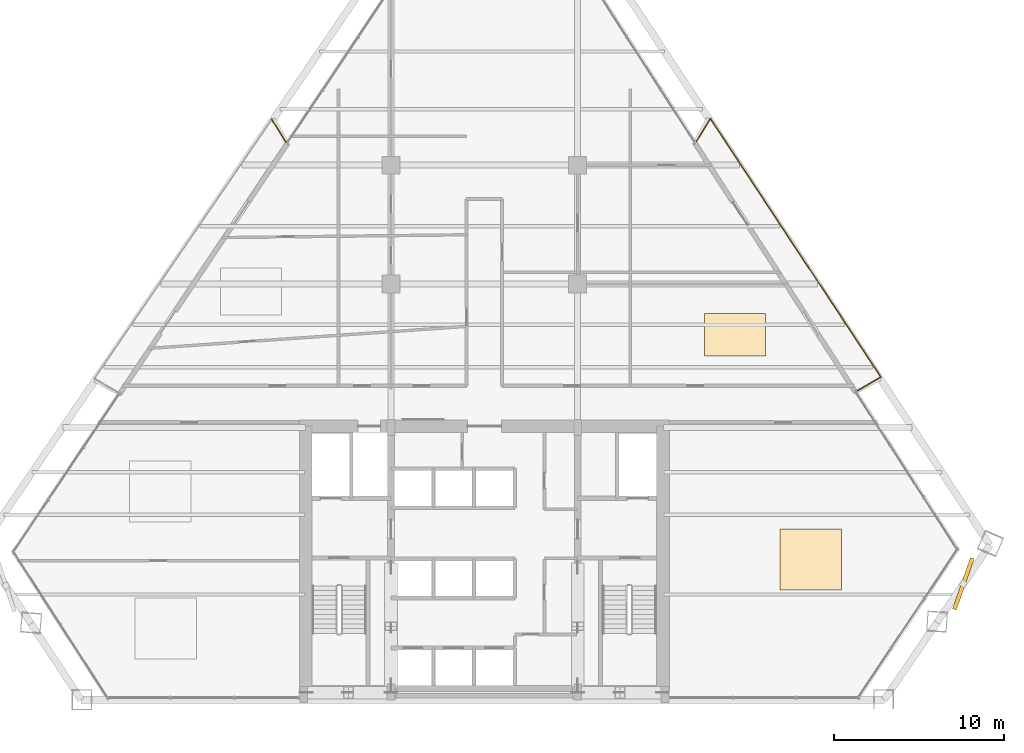
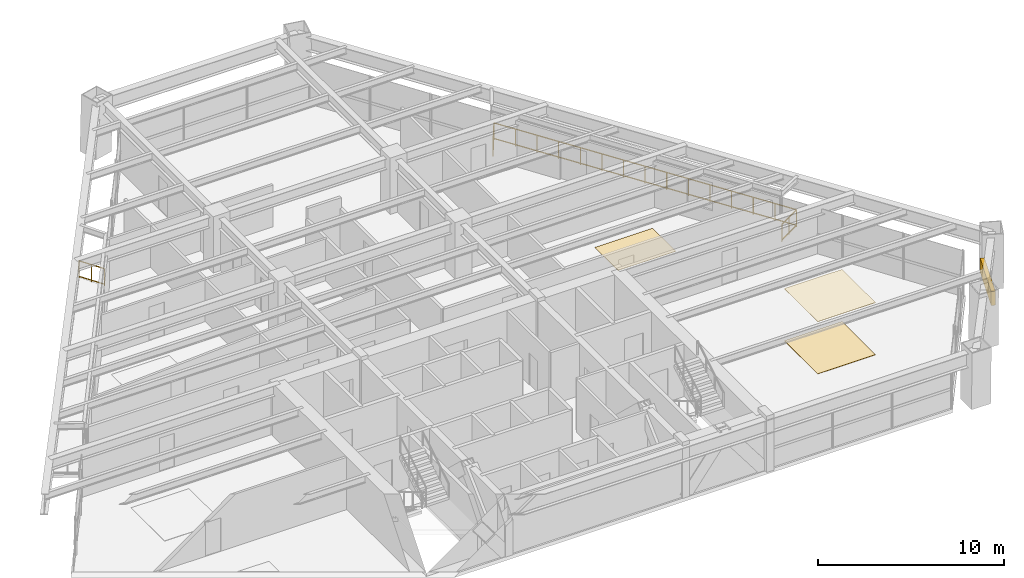
# One storey, part 14 of 14: 4 railings, 3 coverings, 1 shading device.
"""IFC4 building model written with IfcOpenShell, lengths in metres."""

from ifc_helpers import new_model, si_unit, direction, frame, origin, origin_2d, place, context, subcontext, project, spatial, rectangle, extrude, source, transform, mapped, material, layer, layer_set, type_object, type_shapes, element, save


model = new_model("IFC4")

# Units and contexts
model_context = context("Model", 3, precision=1e-05, world=origin(), true_north=direction((0.0, 1.0)))
body_context = subcontext(model_context, "Body", "Model", "MODEL_VIEW")
ifc_project = project(units=[si_unit("LENGTHUNIT", "METRE"), si_unit("AREAUNIT", "SQUARE_METRE"), si_unit("VOLUMEUNIT", "CUBIC_METRE"), si_unit("PLANEANGLEUNIT", "RADIAN"), si_unit("MASSUNIT", "GRAM", prefix="KILO")], contexts=[model_context])

# Site, building, storey
site_placement = place(None, origin())
site = spatial("IfcSite", under=ifc_project, at=site_placement, CompositionType="ELEMENT")
building_placement = place(site_placement, origin())
building = spatial("IfcBuilding", under=site, at=building_placement, Name="Varnakhor Terracotta Tower", CompositionType="ELEMENT")
storey_placement = place(building_placement, frame((0.0, 0.0, 102.5)))
storey = spatial("IfcBuildingStorey", under=building, at=storey_placement, Name="L25", CompositionType="ELEMENT", Elevation=102.5)

# Railings
ifc_material_1 = material(Name="Stainless Steel & Laminated Glass Guardrail", Category="steel")
railing_type = type_object("IfcRailingType", Name="RLG-LOGGIA-GUARD-1150", PredefinedType="GUARDRAIL", material=ifc_material_1)
railing_1_placement = place(storey_placement, frame((12.5029296875, 32.913818359375, 0.0)))
element("IfcRailing", 1, at=railing_1_placement, inside=storey, type_object=railing_type, Name="L25 E Loggia Glass Guard 1", PredefinedType="GUARDRAIL", context=body_context, shape_type="SweptSolid", body=[
    extrude(rectangle(XDim=0.048095703125, YDim=0.048095703125, at=origin_2d()), frame((0.0, 0.0, 1.1259765625), z_axis=(0.524778989732, 0.851238516478, 0.0), x_axis=(-0.851238516478, 0.524778989732, 0.0)), (0.0, 0.0, 1.0), 1.55859375),
    extrude(rectangle(XDim=0.048095703125, YDim=0.048095703125, at=origin_2d()), frame((0.0, 0.0, 0.10009765625), z_axis=(0.524778989732, 0.851238516478, 0.0), x_axis=(-0.851238516478, 0.524778989732, 0.0)), (0.0, 0.0, 1.0), 1.55859375),
    extrude(rectangle(XDim=0.0419921875, YDim=0.0419921875, at=origin_2d()), origin(), (0.0, 0.0, 1.0), 1.101806640625),
    extrude(rectangle(XDim=0.0419921875, YDim=0.0419921875, at=origin_2d()), frame((0.408935546875, 0.663330078125, 0.0)), (0.0, 0.0, 1.0), 1.101806640625),
    extrude(rectangle(XDim=0.0419921875, YDim=0.0419921875, at=origin_2d()), frame((0.81787109375, 1.32666015625, 0.0)), (0.0, 0.0, 1.0), 1.101806640625),
])
railing_2_placement = place(storey_placement, frame((13.32080078125, 34.240478515625, 0.0)))
element("IfcRailing", 2, at=railing_2_placement, inside=storey, type_object=railing_type, Name="L25 E Loggia Glass Guard 2", PredefinedType="GUARDRAIL", context=body_context, shape_type="SweptSolid", body=[
    extrude(rectangle(XDim=0.048095703125, YDim=0.048095703125, at=origin_2d()), frame((0.0, 0.0, 1.1259765625), z_axis=(0.550847617482, -0.834605836497, 0.0), x_axis=(0.834605836497, 0.550847617482, 0.0)), (0.0, 0.0, 1.0), 18.23486328125),
    extrude(rectangle(XDim=0.048095703125, YDim=0.048095703125, at=origin_2d()), frame((0.0, 0.0, 0.10009765625), z_axis=(0.550847617482, -0.834605836497, 0.0), x_axis=(0.834605836497, 0.550847617482, 0.0)), (0.0, 0.0, 1.0), 18.23486328125),
    extrude(rectangle(XDim=0.0419921875, YDim=0.0419921875, at=origin_2d()), origin(), (0.0, 0.0, 1.0), 1.101806640625),
    extrude(rectangle(XDim=0.0419921875, YDim=0.0419921875, at=origin_2d()), frame((0.717529296875, -1.087158203125, 0.0)), (0.0, 0.0, 1.0), 1.101806640625),
    extrude(rectangle(XDim=0.0419921875, YDim=0.0419921875, at=origin_2d()), frame((1.43505859375, -2.174072265625, 0.0)), (0.0, 0.0, 1.0), 1.101806640625),
    extrude(rectangle(XDim=0.0419921875, YDim=0.0419921875, at=origin_2d()), frame((2.15234375, -3.26123046875, 0.0)), (0.0, 0.0, 1.0), 1.101806640625),
    extrude(rectangle(XDim=0.0419921875, YDim=0.0419921875, at=origin_2d()), frame((2.869873046875, -4.348388671875, 0.0)), (0.0, 0.0, 1.0), 1.101806640625),
    extrude(rectangle(XDim=0.0419921875, YDim=0.0419921875, at=origin_2d()), frame((3.58740234375, -5.435302734375, 0.0)), (0.0, 0.0, 1.0), 1.101806640625),
    extrude(rectangle(XDim=0.0419921875, YDim=0.0419921875, at=origin_2d()), frame((4.304931640625, -6.5224609375, 0.0)), (0.0, 0.0, 1.0), 1.101806640625),
    extrude(rectangle(XDim=0.0419921875, YDim=0.0419921875, at=origin_2d()), frame((5.0224609375, -7.609375, 0.0)), (0.0, 0.0, 1.0), 1.101806640625),
    extrude(rectangle(XDim=0.0419921875, YDim=0.0419921875, at=origin_2d()), frame((5.73974609375, -8.696533203125, 0.0)), (0.0, 0.0, 1.0), 1.101806640625),
    extrude(rectangle(XDim=0.0419921875, YDim=0.0419921875, at=origin_2d()), frame((6.457275390625, -9.78369140625, 0.0)), (0.0, 0.0, 1.0), 1.101806640625),
    extrude(rectangle(XDim=0.0419921875, YDim=0.0419921875, at=origin_2d()), frame((7.1748046875, -10.87060546875, 0.0)), (0.0, 0.0, 1.0), 1.101806640625),
    extrude(rectangle(XDim=0.0419921875, YDim=0.0419921875, at=origin_2d()), frame((7.892333984375, -11.957763671875, 0.0)), (0.0, 0.0, 1.0), 1.101806640625),
    extrude(rectangle(XDim=0.0419921875, YDim=0.0419921875, at=origin_2d()), frame((8.609619140625, -13.044921875, 0.0)), (0.0, 0.0, 1.0), 1.101806640625),
    extrude(rectangle(XDim=0.0419921875, YDim=0.0419921875, at=origin_2d()), frame((9.3271484375, -14.1318359375, 0.0)), (0.0, 0.0, 1.0), 1.101806640625),
    extrude(rectangle(XDim=0.0419921875, YDim=0.0419921875, at=origin_2d()), frame((10.044677734375, -15.218994140625, 0.0)), (0.0, 0.0, 1.0), 1.101806640625),
])
railing_3_placement = place(storey_placement, frame((23.365478515625, 19.021484375, 0.0)))
element("IfcRailing", 3, at=railing_3_placement, inside=storey, type_object=railing_type, Name="L25 E Loggia Glass Guard 3", PredefinedType="GUARDRAIL", context=body_context, shape_type="SweptSolid", body=[
    extrude(rectangle(XDim=0.048095703125, YDim=0.048095703125, at=origin_2d()), frame((0.0, 0.0, 1.1259765625), z_axis=(-0.862665872577, -0.505774250324, 0.0), x_axis=(0.505774250324, -0.862665872577, 0.0)), (0.0, 0.0, 1.0), 1.60205078125),
    extrude(rectangle(XDim=0.048095703125, YDim=0.048095703125, at=origin_2d()), frame((0.0, 0.0, 0.10009765625), z_axis=(-0.862665872577, -0.505774250324, 0.0), x_axis=(0.505774250324, -0.862665872577, 0.0)), (0.0, 0.0, 1.0), 1.60205078125),
    extrude(rectangle(XDim=0.0419921875, YDim=0.0419921875, at=origin_2d()), origin(), (0.0, 0.0, 1.0), 1.101806640625),
    extrude(rectangle(XDim=0.0419921875, YDim=0.0419921875, at=origin_2d()), frame((-0.69091796875, -0.4052734375, 0.0)), (0.0, 0.0, 1.0), 1.101806640625),
    extrude(rectangle(XDim=0.0419921875, YDim=0.0419921875, at=origin_2d()), frame((-1.382080078125, -0.810302734375, 0.0)), (0.0, 0.0, 1.0), 1.101806640625),
])
railing_4_placement = place(storey_placement, frame((-12.52392578125, 34.202392578125, 0.0)))
element("IfcRailing", 4, at=railing_4_placement, inside=storey, type_object=railing_type, Name="L25 W Loggia Glass Guard 3", PredefinedType="GUARDRAIL", context=body_context, shape_type="SweptSolid", body=[
    extrude(rectangle(XDim=0.048095703125, YDim=0.048095703125, at=origin_2d()), frame((0.0, 0.0, 1.1259765625), z_axis=(0.526192865483, -0.850365255825, 0.0), x_axis=(0.850365255825, 0.526192865483, 0.0)), (0.0, 0.0, 1.0), 1.558837890625),
    extrude(rectangle(XDim=0.048095703125, YDim=0.048095703125, at=origin_2d()), frame((0.0, 0.0, 0.10009765625), z_axis=(0.526192865483, -0.850365255825, 0.0), x_axis=(0.850365255825, 0.526192865483, 0.0)), (0.0, 0.0, 1.0), 1.558837890625),
    extrude(rectangle(XDim=0.0419921875, YDim=0.0419921875, at=origin_2d()), origin(), (0.0, 0.0, 1.0), 1.101806640625),
    extrude(rectangle(XDim=0.0419921875, YDim=0.0419921875, at=origin_2d()), frame((0.41015625, -0.662841796875, 0.0)), (0.0, 0.0, 1.0), 1.101806640625),
    extrude(rectangle(XDim=0.0419921875, YDim=0.0419921875, at=origin_2d()), frame((0.8203125, -1.32568359375, 0.0)), (0.0, 0.0, 1.0), 1.101806640625),
])

# Shading device
ifc_material_2 = material(Name="Extruded Architectural Terracotta Screen", Category="masonry")
shading_device_type = type_object("IfcShadingDeviceType", Name="TERRACOTTA SOLAR SCREEN E", PredefinedType="USERDEFINED", material=ifc_material_2)
shared_shape_1 = source(origin(), body_context, "Body", "SweptSolid", [
    extrude(rectangle(XDim=3.199951171875, YDim=0.239990234375, at=origin_2d()), origin(), (0.0, 0.0, 1.0), 0.919921875),
])
type_shapes(shading_device_type, [shared_shape_1])
shading_device_placement = place(storey_placement, frame((28.23193359375, 6.831787109375, 1.617919921875), z_axis=(0.0, 0.0, 1.0), x_axis=(0.330860291621, 0.943679748341, 0.0)))
element("IfcShadingDevice", 5, at=shading_device_placement, inside=storey, type_object=shading_device_type, Name="L25 E Terracotta Solar Screen", ObjectType="SCREEN", PredefinedType="USERDEFINED", context=body_context, shape_type="MappedRepresentation", body=[
    mapped(shared_shape_1, transform((0.0, 0.0, 0.0), scale=1.0)),
])

# Coverings
ifc_material_3 = material(Name="Honed Riyadh Limestone Flooring", Category="masonry")
ifc_layer_1 = layer(ifc_material_3, 0.030029296875, Name="Honed Riyadh Limestone Flooring")
ifc_layer_set_1 = layer_set([ifc_layer_1], Name="Honed Riyadh Limestone Flooring")
covering_type_1 = type_object("IfcCoveringType", Name="COV-FLOOR-LIMESTONE", PredefinedType="FLOORING", material=ifc_layer_set_1)
shared_shape_2 = source(origin(), body_context, "Body", "SweptSolid", [
    extrude(rectangle(XDim=3.60009765625, YDim=3.60009765625, at=origin_2d()), origin(), (0.0, 0.0, 1.0), 0.02001953125),
])
covering_1_placement = place(storey_placement, frame((19.237060546875, 8.26611328125, 0.0), z_axis=(0.0, 0.0, 1.0), x_axis=(1.0, 0.0, 0.0)))
element("IfcCovering", 6, at=covering_1_placement, inside=storey, type_object=covering_type_1, Name="L25 Honed Stone Flooring 2", PredefinedType="FLOORING", context=body_context, shape_type="MappedRepresentation", body=[
    mapped(shared_shape_2, transform((0.0, 0.0, 0.0), scale=1.0)),
])
ifc_material_4 = material(Name="Perforated Acoustic Mineral-Fibre Ceiling", Category="gypsum")
ifc_layer_2 = layer(ifc_material_4, 0.02490234375, Name="Perforated Acoustic Mineral-Fibre Ceiling")
ifc_layer_set_2 = layer_set([ifc_layer_2], Name="Perforated Acoustic Mineral-Fibre Ceiling")
covering_type_2 = type_object("IfcCoveringType", Name="COV-CEILING-ACOUSTIC", PredefinedType="CEILING", material=ifc_layer_set_2)
shared_shape_3 = source(origin(), body_context, "Body", "SweptSolid", [
    extrude(rectangle(XDim=3.60009765625, YDim=3.60009765625, at=origin_2d()), origin(), (0.0, 0.0, 1.0), 0.02392578125),
])
covering_2_placement = place(storey_placement, frame((19.237060546875, 8.26611328125, 3.426025390625), z_axis=(0.0, 0.0, 1.0), x_axis=(1.0, 0.0, 0.0)))
element("IfcCovering", 7, at=covering_2_placement, inside=storey, type_object=covering_type_2, Name="L25 Acoustic Ceiling Panel 2", PredefinedType="CEILING", context=body_context, shape_type="MappedRepresentation", body=[
    mapped(shared_shape_3, transform((0.0, 0.0, 0.0), scale=1.0)),
])
shared_shape_4 = source(origin(), body_context, "Body", "SweptSolid", [
    extrude(rectangle(XDim=3.60009765625, YDim=2.489013671875, at=origin_2d()), origin(), (0.0, 0.0, 1.0), 0.02001953125),
])
covering_3_placement = place(storey_placement, frame((14.77294921875, 21.510986328125, 0.0), z_axis=(0.0, 0.0, 1.0), x_axis=(1.0, 0.0, 0.0)))
element("IfcCovering", 8, at=covering_3_placement, inside=storey, type_object=covering_type_1, Name="L25 Honed Stone Flooring 4", PredefinedType="FLOORING", context=body_context, shape_type="MappedRepresentation", body=[
    mapped(shared_shape_4, transform((0.0, 0.0, 0.0), scale=1.0)),
])

save(model, "model.ifc")
